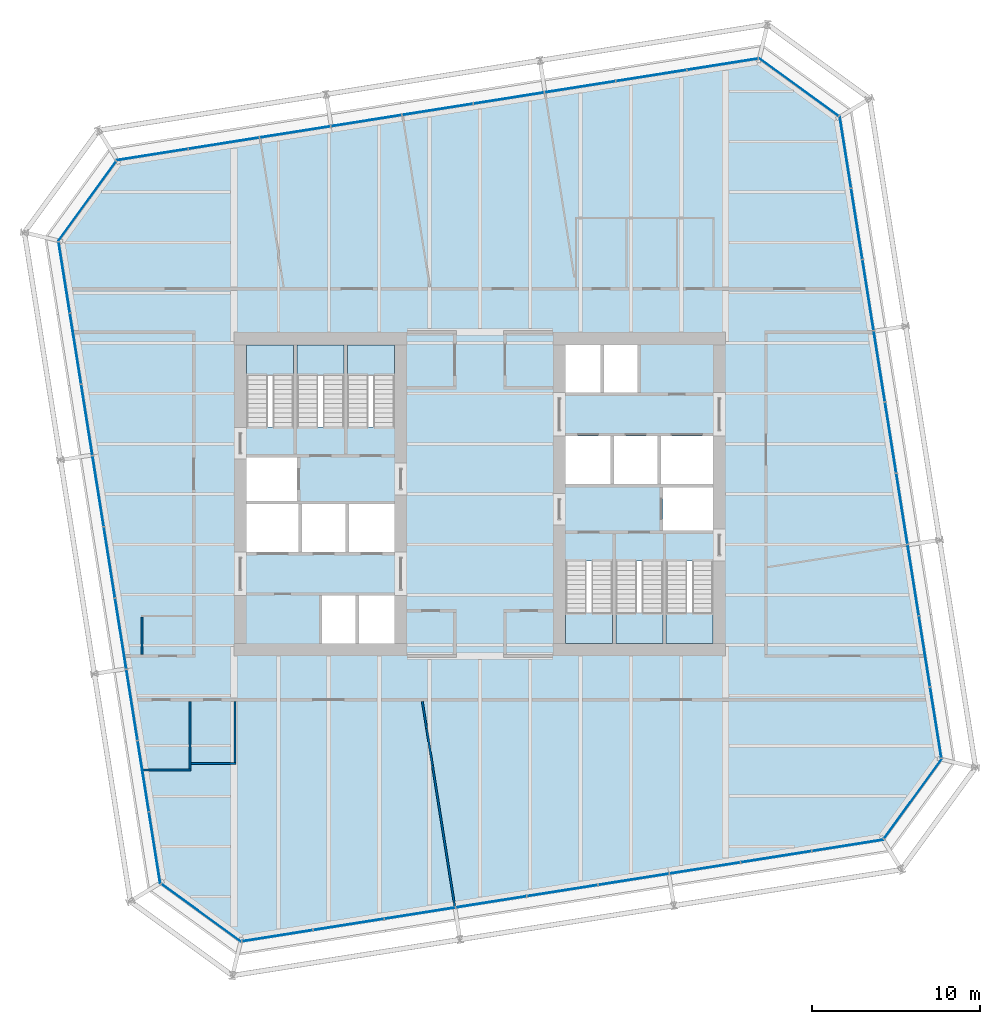
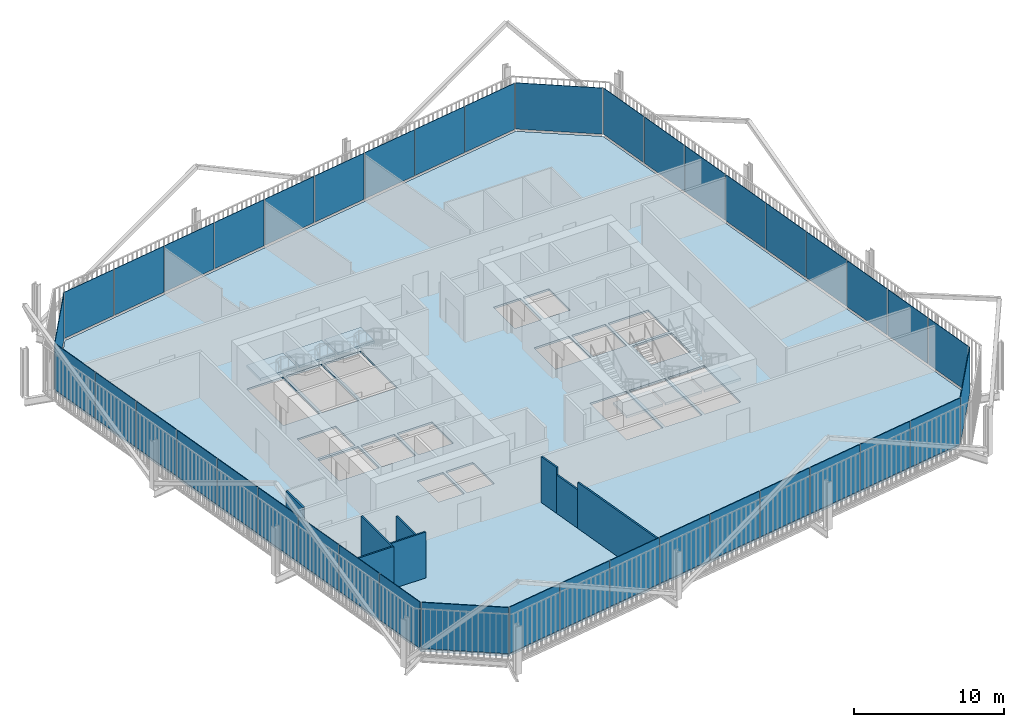
# One storey, part 17 of 22: 40 plates, 8 walls, 7 slabs, 14 elements without a shape of their own.
"""IFC4 building model written with IfcOpenShell, lengths in metres."""

from ifc_helpers import new_model, si_unit, direction, frame, frame_2d, origin, place, context, subcontext, project, spatial, polyline, rectangle, outline, extrude, material, layer, layer_set, type_object, element, aggregate, save


model = new_model("IFC4")

# Units and contexts
model_context = context("Model", 3, precision=1e-05, world=origin(), true_north=direction((0.0, 1.0)))
body_context = subcontext(model_context, "Body", "Model", "MODEL_VIEW")
ifc_project = project(units=[si_unit("LENGTHUNIT", "METRE"), si_unit("AREAUNIT", "SQUARE_METRE"), si_unit("VOLUMEUNIT", "CUBIC_METRE"), si_unit("PLANEANGLEUNIT", "RADIAN"), si_unit("MASSUNIT", "GRAM", prefix="KILO")], contexts=[model_context])

# Site, building, storey
site_placement = place(None, origin())
site = spatial("IfcSite", under=ifc_project, at=site_placement, CompositionType="ELEMENT")
building_placement = place(site_placement, origin())
building = spatial("IfcBuilding", under=site, at=building_placement, Name="Millrace Tower", CompositionType="ELEMENT")
storey_placement = place(building_placement, frame((0.0, 0.0, 160.699951171875)))
storey = spatial("IfcBuildingStorey", under=building, at=storey_placement, Name="L36", CompositionType="ELEMENT", Elevation=160.699951171875)

# Curtain wall, plate
ifc_material_1 = material(Name="Aluminium and glass", Category="aluminium")
ifc_layer_1 = layer(ifc_material_1, 0.14990234375)
ifc_layer_set_1 = layer_set([ifc_layer_1], Name="Aluminium and glass")
curtain_wall_type = type_object("IfcCurtainWallType", Name="CW-1 office vision curtain wall", PredefinedType="NOTDEFINED", material=ifc_layer_set_1)
placement_1 = place(storey_placement, origin())
curtain_wall_1 = element("IfcCurtainWall", 1, at=placement_1, inside=storey, type_object=curtain_wall_type, Name="Curtain wall C-F01 L36", PredefinedType="NOTDEFINED")
ifc_material_2 = material(Name="Glass", Category="glass")
ifc_layer_2 = layer(ifc_material_2, 0.0439453125)
ifc_layer_set_2 = layer_set([ifc_layer_2], Name="Glass")
plate_type = type_object("IfcPlateType", Name="CW-1 office vision curtain wall triple-glazed vision panel", PredefinedType="CURTAIN_PANEL", material=ifc_layer_set_2)
placement_2 = place(storey_placement, frame((0.0, 0.0, 0.14013671875)))
plate_1 = element("IfcPlate", 2, at=placement_2, type_object=plate_type, Name="CW1 panel C-F01.1", PredefinedType="CURTAIN_PANEL", context=body_context, shape_type="SweptSolid", body=[
    extrude(outline(polyline([(-18.988037109375, -23.254638671875), (-14.260009765625, -26.689697265625), (-14.2490234375, -26.6435546875), (-18.962158203125, -23.218994140625), (-18.988037109375, -23.254638671875)])), origin(), (0.0, 0.0, 1.0), 3.760009765625),
])
aggregate(curtain_wall_1, [plate_1])

# Curtain wall, plates
curtain_wall_2 = element("IfcCurtainWall", 3, at=placement_1, inside=storey, type_object=curtain_wall_type, Name="Curtain wall C-F02 L36", PredefinedType="NOTDEFINED")
plate_2 = element("IfcPlate", 4, at=placement_2, type_object=plate_type, Name="CW1 panel C-F02.1", PredefinedType="CURTAIN_PANEL", context=body_context, shape_type="SweptSolid", body=[
    extrude(outline(polyline([(-14.15625, -26.67333984375), (-9.973388671875, -26.0107421875), (-9.980224609375, -25.96728515625), (-14.1630859375, -26.6298828125), (-14.15625, -26.67333984375)])), origin(), (0.0, 0.0, 1.0), 3.760009765625),
])
plate_3 = element("IfcPlate", 5, at=placement_2, type_object=plate_type, Name="CW1 panel C-F02.2", PredefinedType="CURTAIN_PANEL", context=body_context, shape_type="SweptSolid", body=[
    extrude(outline(polyline([(-9.9091796875, -26.000732421875), (-5.726318359375, -25.338134765625), (-5.733154296875, -25.294677734375), (-9.916015625, -25.957275390625), (-9.9091796875, -26.000732421875)])), origin(), (0.0, 0.0, 1.0), 3.760009765625),
])
plate_4 = element("IfcPlate", 6, at=placement_2, type_object=plate_type, Name="CW1 panel C-F02.3", PredefinedType="CURTAIN_PANEL", context=body_context, shape_type="SweptSolid", body=[
    extrude(outline(polyline([(-5.662109375, -25.327880859375), (-1.479248046875, -24.66552734375), (-1.486083984375, -24.6220703125), (-5.6689453125, -25.284423828125), (-5.662109375, -25.327880859375)])), origin(), (0.0, 0.0, 1.0), 3.760009765625),
])
plate_5 = element("IfcPlate", 7, at=placement_2, type_object=plate_type, Name="CW1 panel C-F02.4", PredefinedType="CURTAIN_PANEL", context=body_context, shape_type="SweptSolid", body=[
    extrude(outline(polyline([(-1.4150390625, -24.6552734375), (2.767822265625, -23.992919921875), (2.760986328125, -23.949462890625), (-1.421875, -24.61181640625), (-1.4150390625, -24.6552734375)])), origin(), (0.0, 0.0, 1.0), 3.760009765625),
])
plate_6 = element("IfcPlate", 8, at=placement_2, type_object=plate_type, Name="CW1 panel C-F02.5", PredefinedType="CURTAIN_PANEL", context=body_context, shape_type="SweptSolid", body=[
    extrude(outline(polyline([(2.83203125, -23.982666015625), (7.014892578125, -23.320068359375), (7.008056640625, -23.276611328125), (2.8251953125, -23.939208984375), (2.83203125, -23.982666015625)])), origin(), (0.0, 0.0, 1.0), 3.760009765625),
])
plate_7 = element("IfcPlate", 9, at=placement_2, type_object=plate_type, Name="CW1 panel C-F02.6", PredefinedType="CURTAIN_PANEL", context=body_context, shape_type="SweptSolid", body=[
    extrude(outline(polyline([(7.0791015625, -23.31005859375), (11.261962890625, -22.6474609375), (11.255126953125, -22.60400390625), (7.072265625, -23.2666015625), (7.0791015625, -23.31005859375)])), origin(), (0.0, 0.0, 1.0), 3.760009765625),
])
plate_8 = element("IfcPlate", 10, at=placement_2, type_object=plate_type, Name="CW1 panel C-F02.7", PredefinedType="CURTAIN_PANEL", context=body_context, shape_type="SweptSolid", body=[
    extrude(outline(polyline([(11.326171875, -22.63720703125), (15.509033203125, -21.974853515625), (15.502197265625, -21.931396484375), (11.3193359375, -22.59375), (11.326171875, -22.63720703125)])), origin(), (0.0, 0.0, 1.0), 3.760009765625),
])
plate_9 = element("IfcPlate", 11, at=placement_2, type_object=plate_type, Name="CW1 panel C-F02.8", PredefinedType="CURTAIN_PANEL", context=body_context, shape_type="SweptSolid", body=[
    extrude(outline(polyline([(15.5732421875, -21.964599609375), (19.756103515625, -21.30224609375), (19.749267578125, -21.2587890625), (15.56640625, -21.921142578125), (15.5732421875, -21.964599609375)])), origin(), (0.0, 0.0, 1.0), 3.760009765625),
])
plate_10 = element("IfcPlate", 12, at=placement_2, type_object=plate_type, Name="CW1 panel C-F02.9", PredefinedType="CURTAIN_PANEL", context=body_context, shape_type="SweptSolid", body=[
    extrude(outline(polyline([(19.8203125, -21.2919921875), (24.042724609375, -20.623291015625), (24.01806640625, -20.58251953125), (19.8134765625, -21.24853515625), (19.8203125, -21.2919921875)])), origin(), (0.0, 0.0, 1.0), 3.760009765625),
])
aggregate(curtain_wall_2, [plate_2, plate_3, plate_4, plate_5, plate_6, plate_7, plate_8, plate_9, plate_10])

# Curtain wall, plate
curtain_wall_3 = element("IfcCurtainWall", 13, at=placement_1, inside=storey, type_object=curtain_wall_type, Name="Curtain wall C-F03 L36", PredefinedType="NOTDEFINED")
plate_11 = element("IfcPlate", 14, at=placement_2, type_object=plate_type, Name="CW1 panel C-F03.1", PredefinedType="CURTAIN_PANEL", context=body_context, shape_type="SweptSolid", body=[
    extrude(outline(polyline([(24.104736328125, -20.5380859375), (27.539794921875, -15.81005859375), (27.493408203125, -15.799072265625), (24.069091796875, -20.51220703125), (24.104736328125, -20.5380859375)])), origin(), (0.0, 0.0, 1.0), 3.760009765625),
])
aggregate(curtain_wall_3, [plate_11])

# Curtain wall, plates
curtain_wall_4 = element("IfcCurtainWall", 15, at=placement_1, inside=storey, type_object=curtain_wall_type, Name="Curtain wall C-F04 L36", PredefinedType="NOTDEFINED")
plate_12 = element("IfcPlate", 16, at=placement_2, type_object=plate_type, Name="CW1 panel C-F04.1", PredefinedType="CURTAIN_PANEL", context=body_context, shape_type="SweptSolid", body=[
    extrude(outline(polyline([(27.5234375, -15.706298828125), (26.86083984375, -11.5234375), (26.8173828125, -11.5302734375), (27.47998046875, -15.713134765625), (27.5234375, -15.706298828125)])), origin(), (0.0, 0.0, 1.0), 3.760009765625),
])
plate_13 = element("IfcPlate", 17, at=placement_2, type_object=plate_type, Name="CW1 panel C-F04.2", PredefinedType="CURTAIN_PANEL", context=body_context, shape_type="SweptSolid", body=[
    extrude(outline(polyline([(26.8505859375, -11.459228515625), (26.188232421875, -7.2763671875), (26.144775390625, -7.283203125), (26.80712890625, -11.466064453125), (26.8505859375, -11.459228515625)])), origin(), (0.0, 0.0, 1.0), 3.760009765625),
])
plate_14 = element("IfcPlate", 18, at=placement_2, type_object=plate_type, Name="CW1 panel C-F04.3", PredefinedType="CURTAIN_PANEL", context=body_context, shape_type="SweptSolid", body=[
    extrude(outline(polyline([(26.177978515625, -7.212158203125), (25.515380859375, -3.029296875), (25.471923828125, -3.0361328125), (26.134521484375, -7.218994140625), (26.177978515625, -7.212158203125)])), origin(), (0.0, 0.0, 1.0), 3.760009765625),
])
plate_15 = element("IfcPlate", 19, at=placement_2, type_object=plate_type, Name="CW1 panel C-F04.4", PredefinedType="CURTAIN_PANEL", context=body_context, shape_type="SweptSolid", body=[
    extrude(outline(polyline([(25.50537109375, -2.965087890625), (24.8427734375, 1.2177734375), (24.79931640625, 1.2109375), (25.4619140625, -2.971923828125), (25.50537109375, -2.965087890625)])), origin(), (0.0, 0.0, 1.0), 3.760009765625),
])
plate_16 = element("IfcPlate", 20, at=placement_2, type_object=plate_type, Name="CW1 panel C-F04.5", PredefinedType="CURTAIN_PANEL", context=body_context, shape_type="SweptSolid", body=[
    extrude(outline(polyline([(24.832763671875, 1.281982421875), (24.170166015625, 5.46484375), (24.126708984375, 5.4580078125), (24.789306640625, 1.275146484375), (24.832763671875, 1.281982421875)])), origin(), (0.0, 0.0, 1.0), 3.760009765625),
])
plate_17 = element("IfcPlate", 21, at=placement_2, type_object=plate_type, Name="CW1 panel C-F04.6", PredefinedType="CURTAIN_PANEL", context=body_context, shape_type="SweptSolid", body=[
    extrude(outline(polyline([(24.159912109375, 5.529052734375), (23.49755859375, 9.7119140625), (23.4541015625, 9.705078125), (24.116455078125, 5.522216796875), (24.159912109375, 5.529052734375)])), origin(), (0.0, 0.0, 1.0), 3.760009765625),
])
plate_18 = element("IfcPlate", 22, at=placement_2, type_object=plate_type, Name="CW1 panel C-F04.7", PredefinedType="CURTAIN_PANEL", context=body_context, shape_type="SweptSolid", body=[
    extrude(outline(polyline([(23.4873046875, 9.776123046875), (22.82470703125, 13.958984375), (22.78125, 13.9521484375), (23.44384765625, 9.769287109375), (23.4873046875, 9.776123046875)])), origin(), (0.0, 0.0, 1.0), 3.760009765625),
])
plate_19 = element("IfcPlate", 23, at=placement_2, type_object=plate_type, Name="CW1 panel C-F04.8", PredefinedType="CURTAIN_PANEL", context=body_context, shape_type="SweptSolid", body=[
    extrude(outline(polyline([(22.814697265625, 14.023193359375), (22.152099609375, 18.2060546875), (22.108642578125, 18.19921875), (22.771240234375, 14.016357421875), (22.814697265625, 14.023193359375)])), origin(), (0.0, 0.0, 1.0), 3.760009765625),
])
plate_20 = element("IfcPlate", 24, at=placement_2, type_object=plate_type, Name="CW1 panel C-F04.9", PredefinedType="CURTAIN_PANEL", context=body_context, shape_type="SweptSolid", body=[
    extrude(outline(polyline([(22.14208984375, 18.270263671875), (21.47314453125, 22.492919921875), (21.4326171875, 22.468017578125), (22.0986328125, 18.263427734375), (22.14208984375, 18.270263671875)])), origin(), (0.0, 0.0, 1.0), 3.760009765625),
])
aggregate(curtain_wall_4, [plate_12, plate_13, plate_14, plate_15, plate_16, plate_17, plate_18, plate_19, plate_20])

# Curtain wall, plate
curtain_wall_5 = element("IfcCurtainWall", 25, at=placement_1, inside=storey, type_object=curtain_wall_type, Name="Curtain wall C-F05 L36", PredefinedType="NOTDEFINED")
plate_21 = element("IfcPlate", 26, at=placement_2, type_object=plate_type, Name="CW1 panel C-F05.1", PredefinedType="CURTAIN_PANEL", context=body_context, shape_type="SweptSolid", body=[
    extrude(outline(polyline([(21.38818359375, 22.5546875), (16.66015625, 25.98974609375), (16.64892578125, 25.943359375), (21.3623046875, 22.51904296875), (21.38818359375, 22.5546875)])), origin(), (0.0, 0.0, 1.0), 3.760009765625),
])
aggregate(curtain_wall_5, [plate_21])

# Curtain wall, plates
curtain_wall_6 = element("IfcCurtainWall", 27, at=placement_1, inside=storey, type_object=curtain_wall_type, Name="Curtain wall C-F06 L36", PredefinedType="NOTDEFINED")
plate_22 = element("IfcPlate", 28, at=placement_2, type_object=plate_type, Name="CW1 panel C-F06.1", PredefinedType="CURTAIN_PANEL", context=body_context, shape_type="SweptSolid", body=[
    extrude(outline(polyline([(16.55615234375, 25.973388671875), (12.373291015625, 25.310791015625), (12.380126953125, 25.267333984375), (16.56298828125, 25.929931640625), (16.55615234375, 25.973388671875)])), origin(), (0.0, 0.0, 1.0), 3.760009765625),
])
plate_23 = element("IfcPlate", 29, at=placement_2, type_object=plate_type, Name="CW1 panel C-F06.2", PredefinedType="CURTAIN_PANEL", context=body_context, shape_type="SweptSolid", body=[
    extrude(outline(polyline([(12.30908203125, 25.300537109375), (8.126220703125, 24.63818359375), (8.133056640625, 24.5947265625), (12.31591796875, 25.257080078125), (12.30908203125, 25.300537109375)])), origin(), (0.0, 0.0, 1.0), 3.760009765625),
])
plate_24 = element("IfcPlate", 30, at=placement_2, type_object=plate_type, Name="CW1 panel C-F06.3", PredefinedType="CURTAIN_PANEL", context=body_context, shape_type="SweptSolid", body=[
    extrude(outline(polyline([(8.06201171875, 24.6279296875), (3.879150390625, 23.965576171875), (3.885986328125, 23.922119140625), (8.06884765625, 24.58447265625), (8.06201171875, 24.6279296875)])), origin(), (0.0, 0.0, 1.0), 3.760009765625),
])
plate_25 = element("IfcPlate", 31, at=placement_2, type_object=plate_type, Name="CW1 panel C-F06.4", PredefinedType="CURTAIN_PANEL", context=body_context, shape_type="SweptSolid", body=[
    extrude(outline(polyline([(3.81494140625, 23.955322265625), (-0.367919921875, 23.292724609375), (-0.361083984375, 23.249267578125), (3.82177734375, 23.911865234375), (3.81494140625, 23.955322265625)])), origin(), (0.0, 0.0, 1.0), 3.760009765625),
])
plate_26 = element("IfcPlate", 32, at=placement_2, type_object=plate_type, Name="CW1 panel C-F06.5", PredefinedType="CURTAIN_PANEL", context=body_context, shape_type="SweptSolid", body=[
    extrude(outline(polyline([(-0.43212890625, 23.28271484375), (-4.614990234375, 22.6201171875), (-4.60791015625, 22.57666015625), (-0.42529296875, 23.2392578125), (-0.43212890625, 23.28271484375)])), origin(), (0.0, 0.0, 1.0), 3.760009765625),
])
plate_27 = element("IfcPlate", 33, at=placement_2, type_object=plate_type, Name="CW1 panel C-F06.6", PredefinedType="CURTAIN_PANEL", context=body_context, shape_type="SweptSolid", body=[
    extrude(outline(polyline([(-4.67919921875, 22.60986328125), (-8.862060546875, 21.947509765625), (-8.85498046875, 21.904052734375), (-4.672119140625, 22.56640625), (-4.67919921875, 22.60986328125)])), origin(), (0.0, 0.0, 1.0), 3.760009765625),
])
plate_28 = element("IfcPlate", 34, at=placement_2, type_object=plate_type, Name="CW1 panel C-F06.7", PredefinedType="CURTAIN_PANEL", context=body_context, shape_type="SweptSolid", body=[
    extrude(outline(polyline([(-8.92626953125, 21.937255859375), (-13.109130859375, 21.27490234375), (-13.10205078125, 21.2314453125), (-8.919189453125, 21.893798828125), (-8.92626953125, 21.937255859375)])), origin(), (0.0, 0.0, 1.0), 3.760009765625),
])
plate_29 = element("IfcPlate", 35, at=placement_2, type_object=plate_type, Name="CW1 panel C-F06.8", PredefinedType="CURTAIN_PANEL", context=body_context, shape_type="SweptSolid", body=[
    extrude(outline(polyline([(-13.17333984375, 21.2646484375), (-17.356201171875, 20.60205078125), (-17.34912109375, 20.55859375), (-13.166259765625, 21.22119140625), (-13.17333984375, 21.2646484375)])), origin(), (0.0, 0.0, 1.0), 3.760009765625),
])
plate_30 = element("IfcPlate", 36, at=placement_2, type_object=plate_type, Name="CW1 panel C-F06.9", PredefinedType="CURTAIN_PANEL", context=body_context, shape_type="SweptSolid", body=[
    extrude(outline(polyline([(-17.42041015625, 20.592041015625), (-21.642822265625, 19.923095703125), (-21.617919921875, 19.882568359375), (-17.413330078125, 20.548583984375), (-17.42041015625, 20.592041015625)])), origin(), (0.0, 0.0, 1.0), 3.760009765625),
])
aggregate(curtain_wall_6, [plate_22, plate_23, plate_24, plate_25, plate_26, plate_27, plate_28, plate_29, plate_30])

# Curtain wall, plate
curtain_wall_7 = element("IfcCurtainWall", 37, at=placement_1, inside=storey, type_object=curtain_wall_type, Name="Curtain wall C-F07 L36", PredefinedType="NOTDEFINED")
plate_31 = element("IfcPlate", 38, at=placement_2, type_object=plate_type, Name="CW1 panel C-F07.1", PredefinedType="CURTAIN_PANEL", context=body_context, shape_type="SweptSolid", body=[
    extrude(outline(polyline([(-21.70458984375, 19.838134765625), (-25.139892578125, 15.110107421875), (-25.093505859375, 15.098876953125), (-21.6689453125, 19.812255859375), (-21.70458984375, 19.838134765625)])), origin(), (0.0, 0.0, 1.0), 3.760009765625),
])
aggregate(curtain_wall_7, [plate_31])

# Curtain wall, plates
curtain_wall_8 = element("IfcCurtainWall", 39, at=placement_1, inside=storey, type_object=curtain_wall_type, Name="Curtain wall C-F08 L36", PredefinedType="NOTDEFINED")
plate_32 = element("IfcPlate", 40, at=placement_2, type_object=plate_type, Name="CW1 panel C-F08.1", PredefinedType="CURTAIN_PANEL", context=body_context, shape_type="SweptSolid", body=[
    extrude(outline(polyline([(-25.123291015625, 15.006103515625), (-24.4609375, 10.8232421875), (-24.41748046875, 10.830322265625), (-25.079833984375, 15.01318359375), (-25.123291015625, 15.006103515625)])), origin(), (0.0, 0.0, 1.0), 3.760009765625),
])
plate_33 = element("IfcPlate", 41, at=placement_2, type_object=plate_type, Name="CW1 panel C-F08.2", PredefinedType="CURTAIN_PANEL", context=body_context, shape_type="SweptSolid", body=[
    extrude(outline(polyline([(-24.45068359375, 10.759033203125), (-23.7880859375, 6.576171875), (-23.74462890625, 6.583251953125), (-24.4072265625, 10.76611328125), (-24.45068359375, 10.759033203125)])), origin(), (0.0, 0.0, 1.0), 3.760009765625),
])
plate_34 = element("IfcPlate", 42, at=placement_2, type_object=plate_type, Name="CW1 panel C-F08.3", PredefinedType="CURTAIN_PANEL", context=body_context, shape_type="SweptSolid", body=[
    extrude(outline(polyline([(-23.778076171875, 6.511962890625), (-23.115478515625, 2.3291015625), (-23.072021484375, 2.336181640625), (-23.734619140625, 6.51904296875), (-23.778076171875, 6.511962890625)])), origin(), (0.0, 0.0, 1.0), 3.760009765625),
])
plate_35 = element("IfcPlate", 43, at=placement_2, type_object=plate_type, Name="CW1 panel C-F08.4", PredefinedType="CURTAIN_PANEL", context=body_context, shape_type="SweptSolid", body=[
    extrude(outline(polyline([(-23.105224609375, 2.264892578125), (-22.44287109375, -1.91796875), (-22.3994140625, -1.910888671875), (-23.061767578125, 2.27197265625), (-23.105224609375, 2.264892578125)])), origin(), (0.0, 0.0, 1.0), 3.760009765625),
])
plate_36 = element("IfcPlate", 44, at=placement_2, type_object=plate_type, Name="CW1 panel C-F08.5", PredefinedType="CURTAIN_PANEL", context=body_context, shape_type="SweptSolid", body=[
    extrude(outline(polyline([(-22.4326171875, -1.98193359375), (-21.770263671875, -6.164794921875), (-21.726806640625, -6.157958984375), (-22.38916015625, -1.97509765625), (-22.4326171875, -1.98193359375)])), origin(), (0.0, 0.0, 1.0), 3.760009765625),
])
plate_37 = element("IfcPlate", 45, at=placement_2, type_object=plate_type, Name="CW1 panel C-F08.6", PredefinedType="CURTAIN_PANEL", context=body_context, shape_type="SweptSolid", body=[
    extrude(outline(polyline([(-21.760009765625, -6.22900390625), (-21.097412109375, -10.411865234375), (-21.053955078125, -10.405029296875), (-21.716552734375, -6.22216796875), (-21.760009765625, -6.22900390625)])), origin(), (0.0, 0.0, 1.0), 3.760009765625),
])
plate_38 = element("IfcPlate", 46, at=placement_2, type_object=plate_type, Name="CW1 panel C-F08.7", PredefinedType="CURTAIN_PANEL", context=body_context, shape_type="SweptSolid", body=[
    extrude(outline(polyline([(-21.08740234375, -10.47607421875), (-20.4248046875, -14.658935546875), (-20.38134765625, -14.652099609375), (-21.0439453125, -10.46923828125), (-21.08740234375, -10.47607421875)])), origin(), (0.0, 0.0, 1.0), 3.760009765625),
])
plate_39 = element("IfcPlate", 47, at=placement_2, type_object=plate_type, Name="CW1 panel C-F08.8", PredefinedType="CURTAIN_PANEL", context=body_context, shape_type="SweptSolid", body=[
    extrude(outline(polyline([(-20.41455078125, -14.72314453125), (-19.752197265625, -18.906005859375), (-19.708740234375, -18.899169921875), (-20.37109375, -14.71630859375), (-20.41455078125, -14.72314453125)])), origin(), (0.0, 0.0, 1.0), 3.760009765625),
])
plate_40 = element("IfcPlate", 48, at=placement_2, type_object=plate_type, Name="CW1 panel C-F08.9", PredefinedType="CURTAIN_PANEL", context=body_context, shape_type="SweptSolid", body=[
    extrude(outline(polyline([(-19.741943359375, -18.97021484375), (-19.0732421875, -23.19287109375), (-19.032470703125, -23.16796875), (-19.698486328125, -18.96337890625), (-19.741943359375, -18.97021484375)])), origin(), (0.0, 0.0, 1.0), 3.760009765625),
])
aggregate(curtain_wall_8, [plate_32, plate_33, plate_34, plate_35, plate_36, plate_37, plate_38, plate_39, plate_40])

# Slab
ifc_material_3 = material(Name="Concrete C35 on steel deck", Category="concrete")
ifc_layer_3 = layer(ifc_material_3, 0.159912109375)
ifc_layer_set_3 = layer_set([ifc_layer_3], Name="Concrete C35 on steel deck")
slab_type_1 = type_object("IfcSlabType", Name="Composite floor slab 160 mm", PredefinedType="FLOOR", material=ifc_layer_set_3)
slab_1_placement = place(storey_placement, frame((0.0, 0.0, -0.159912109375)))
element("IfcSlab", 49, at=slab_1_placement, inside=storey, type_object=slab_type_1, Name="SL-C-L36-S1", PredefinedType="FLOOR", context=body_context, shape_type="SweptSolid", body=[
    extrude(outline(polyline([(-18.983642578125, -23.137939453125), (-14.235595703125, -26.587646484375), (23.988037109375, -20.53369140625), (27.437744140625, -15.78564453125), (21.3837890625, 22.43798828125), (16.635498046875, 25.8876953125), (-21.587890625, 19.833740234375), (-25.03759765625, 15.08544921875), (-18.983642578125, -23.137939453125)]), holes=[polyline([(-9.39990234375, -8.89990234375), (-7.39990234375, -8.89990234375), (-7.39990234375, -6.050048828125), (-9.39990234375, -6.050048828125), (-9.39990234375, -8.89990234375)]), polyline([(-7.199951171875, -8.89990234375), (-5.10009765625, -8.89990234375), (-5.10009765625, -6.050048828125), (-7.199951171875, -6.050048828125), (-7.199951171875, -8.89990234375)]), polyline([(-13.89990234375, -3.449951171875), (-10.800048828125, -3.449951171875), (-10.800048828125, -0.60009765625), (-13.89990234375, -0.60009765625), (-13.89990234375, -3.449951171875)]), polyline([(-10.60009765625, -3.449951171875), (-8.0, -3.449951171875), (-8.0, -0.60009765625), (-10.60009765625, -0.60009765625), (-10.60009765625, -3.449951171875)]), polyline([(-7.800048828125, -3.449951171875), (-5.10009765625, -3.449951171875), (-5.10009765625, -0.60009765625), (-7.800048828125, -0.60009765625), (-7.800048828125, -3.449951171875)]), polyline([(-13.89990234375, -0.39990234375), (-10.89990234375, -0.39990234375), (-10.89990234375, 2.179931640625), (-13.89990234375, 2.179931640625), (-13.89990234375, -0.39990234375)]), polyline([(-13.89990234375, 4.0), (-11.10009765625, 4.0), (-11.10009765625, 8.89990234375), (-13.89990234375, 8.89990234375), (-13.89990234375, 4.0)]), polyline([(-10.89990234375, 4.0), (-8.10009765625, 4.0), (-8.10009765625, 8.89990234375), (-10.89990234375, 8.89990234375), (-10.89990234375, 4.0)]), polyline([(-7.89990234375, 4.0), (-5.10009765625, 4.0), (-5.10009765625, 8.89990234375), (-7.89990234375, 8.89990234375), (-7.89990234375, 4.0)]), polyline([(7.39990234375, 6.050048828125), (9.39990234375, 6.050048828125), (9.39990234375, 8.89990234375), (7.39990234375, 8.89990234375), (7.39990234375, 6.050048828125)]), polyline([(5.10009765625, 6.050048828125), (7.199951171875, 6.050048828125), (7.199951171875, 8.89990234375), (5.10009765625, 8.89990234375), (5.10009765625, 6.050048828125)]), polyline([(10.800048828125, 0.60009765625), (13.89990234375, 0.60009765625), (13.89990234375, 3.449951171875), (10.800048828125, 3.449951171875), (10.800048828125, 0.60009765625)]), polyline([(8.0, 0.60009765625), (10.60009765625, 0.60009765625), (10.60009765625, 3.449951171875), (8.0, 3.449951171875), (8.0, 0.60009765625)]), polyline([(5.10009765625, 0.60009765625), (7.800048828125, 0.60009765625), (7.800048828125, 3.449951171875), (5.10009765625, 3.449951171875), (5.10009765625, 0.60009765625)]), polyline([(10.89990234375, -2.179931640625), (13.89990234375, -2.179931640625), (13.89990234375, 0.39990234375), (10.89990234375, 0.39990234375), (10.89990234375, -2.179931640625)]), polyline([(11.10009765625, -8.89990234375), (13.89990234375, -8.89990234375), (13.89990234375, -4.0), (11.10009765625, -4.0), (11.10009765625, -8.89990234375)]), polyline([(8.10009765625, -8.89990234375), (10.89990234375, -8.89990234375), (10.89990234375, -4.0), (8.10009765625, -4.0), (8.10009765625, -8.89990234375)]), polyline([(5.10009765625, -8.89990234375), (7.89990234375, -8.89990234375), (7.89990234375, -4.0), (5.10009765625, -4.0), (5.10009765625, -8.89990234375)])]), origin(), (0.0, 0.0, 1.0), 0.159912109375),
])

# Stair, slab
ifc_material_4 = material(Name="Concrete C35", Category="concrete")
stair_type = type_object("IfcStairType", Name="Exit stair", PredefinedType="HALF_TURN_STAIR", material=ifc_material_4)
stair_1 = element("IfcStair", 50, at=placement_1, inside=storey, type_object=stair_type, Name="Stair 1 W L36", PredefinedType="HALF_TURN_STAIR")
ifc_material_5 = material(Name="Concrete C40", Category="concrete")
ifc_layer_4 = layer(ifc_material_5, 0.199951171875)
ifc_layer_set_4 = layer_set([ifc_layer_4], Name="Concrete C40")
slab_type_2 = type_object("IfcSlabType", Name="Stair landing", PredefinedType="LANDING", material=ifc_layer_set_4)
placement_3 = place(storey_placement, frame((0.0, 0.0, 1.75)))
slab_2 = element("IfcSlab", 51, at=placement_3, type_object=slab_type_2, Name="ST12 landing 1", PredefinedType="LANDING", context=body_context, shape_type="SweptSolid", body=[
    extrude(outline(polyline([(-13.89990234375, 7.080078125), (-11.10009765625, 7.080078125), (-11.10009765625, 8.89990234375), (-13.89990234375, 8.89990234375), (-13.89990234375, 7.080078125)])), origin(), (0.0, 0.0, 1.0), 0.199951171875),
])
aggregate(stair_1, [slab_2])

stair_2 = element("IfcStair", 52, at=placement_1, inside=storey, type_object=stair_type, Name="Stair 2 W L36", PredefinedType="HALF_TURN_STAIR")
slab_3 = element("IfcSlab", 53, at=placement_3, type_object=slab_type_2, Name="ST12 landing 1", PredefinedType="LANDING", context=body_context, shape_type="SweptSolid", body=[
    extrude(outline(polyline([(-10.89990234375, 7.080078125), (-8.10009765625, 7.080078125), (-8.10009765625, 8.89990234375), (-10.89990234375, 8.89990234375), (-10.89990234375, 7.080078125)])), origin(), (0.0, 0.0, 1.0), 0.199951171875),
])
aggregate(stair_2, [slab_3])

stair_3 = element("IfcStair", 54, at=placement_1, inside=storey, type_object=stair_type, Name="Stair 3 W L36", PredefinedType="HALF_TURN_STAIR")
slab_4 = element("IfcSlab", 55, at=placement_3, type_object=slab_type_2, Name="ST12 landing 1", PredefinedType="LANDING", context=body_context, shape_type="SweptSolid", body=[
    extrude(outline(polyline([(-7.89990234375, 7.080078125), (-5.10009765625, 7.080078125), (-5.10009765625, 8.89990234375), (-7.89990234375, 8.89990234375), (-7.89990234375, 7.080078125)])), origin(), (0.0, 0.0, 1.0), 0.199951171875),
])
aggregate(stair_3, [slab_4])

stair_4 = element("IfcStair", 56, at=placement_1, inside=storey, type_object=stair_type, Name="Stair 1 E L36", PredefinedType="HALF_TURN_STAIR")
slab_5 = element("IfcSlab", 57, at=placement_3, type_object=slab_type_2, Name="ST12 landing 1", PredefinedType="LANDING", context=body_context, shape_type="SweptSolid", body=[
    extrude(outline(polyline([(11.10009765625, -8.89990234375), (13.89990234375, -8.89990234375), (13.89990234375, -7.080078125), (11.10009765625, -7.080078125), (11.10009765625, -8.89990234375)])), origin(), (0.0, 0.0, 1.0), 0.199951171875),
])
aggregate(stair_4, [slab_5])

stair_5 = element("IfcStair", 58, at=placement_1, inside=storey, type_object=stair_type, Name="Stair 2 E L36", PredefinedType="HALF_TURN_STAIR")
slab_6 = element("IfcSlab", 59, at=placement_3, type_object=slab_type_2, Name="ST12 landing 1", PredefinedType="LANDING", context=body_context, shape_type="SweptSolid", body=[
    extrude(outline(polyline([(8.10009765625, -8.89990234375), (10.89990234375, -8.89990234375), (10.89990234375, -7.080078125), (8.10009765625, -7.080078125), (8.10009765625, -8.89990234375)])), origin(), (0.0, 0.0, 1.0), 0.199951171875),
])
aggregate(stair_5, [slab_6])

stair_6 = element("IfcStair", 60, at=placement_1, inside=storey, type_object=stair_type, Name="Stair 3 E L36", PredefinedType="HALF_TURN_STAIR")
slab_7 = element("IfcSlab", 61, at=placement_3, type_object=slab_type_2, Name="ST12 landing 1", PredefinedType="LANDING", context=body_context, shape_type="SweptSolid", body=[
    extrude(outline(polyline([(5.10009765625, -8.89990234375), (7.89990234375, -8.89990234375), (7.89990234375, -7.080078125), (5.10009765625, -7.080078125), (5.10009765625, -8.89990234375)])), origin(), (0.0, 0.0, 1.0), 0.199951171875),
])
aggregate(stair_6, [slab_7])

# Walls
ifc_material_6 = material(Name="Gypsum board partition")
ifc_layer_5 = layer(ifc_material_6, 0.1201171875)
ifc_layer_set_5 = layer_set([ifc_layer_5], Name="Gypsum board partition")
wall_type = type_object("IfcWallType", Name="Partition wall 120", PredefinedType="PARTITIONING", material=ifc_layer_set_5)
wall_1_placement = place(storey_placement, frame((-3.430419921875, -12.348876953125, 0.0), z_axis=(0.0, 0.0, 1.0), x_axis=(0.156535074883, -0.987672400309, 0.0)))
element("IfcWall", 62, at=wall_1_placement, inside=storey, type_object=wall_type, Name="Partition wall L36", PredefinedType="PARTITIONING", context=body_context, shape_type="SweptSolid", body=[
    extrude(rectangle(XDim=1.642333984375, YDim=0.1201171875, at=frame_2d((0.8212890625, 0.0))), origin(), (0.0, 0.0, 1.0), 3.739990234375),
])
wall_2_placement = place(storey_placement, frame((-3.17333984375, -13.970947265625, 0.0), z_axis=(0.0, 0.0, 1.0), x_axis=(0.156341363977, -0.987703081857, 0.0)))
element("IfcWall", 63, at=wall_2_placement, inside=storey, type_object=wall_type, Name="Partition wall L36", PredefinedType="PARTITIONING", context=body_context, shape_type="SweptSolid", body=[
    extrude(rectangle(XDim=2.217529296875, YDim=0.1201171875, at=frame_2d((1.10888671875, 0.0))), origin(), (0.0, 0.0, 1.0), 3.133056640625),
])
wall_3_placement = place(storey_placement, frame((-2.82666015625, -16.1611328125, 0.0), z_axis=(0.0, 0.0, 1.0), x_axis=(0.156427735181, -0.987689406477, 0.0)))
element("IfcWall", 64, at=wall_3_placement, inside=storey, type_object=wall_type, Name="Partition wall L36", PredefinedType="PARTITIONING", context=body_context, shape_type="SweptSolid", body=[
    extrude(rectangle(XDim=8.54345703125, YDim=0.1201171875, at=frame_2d((4.271728515625, 0.0))), origin(), (0.0, 0.0, 1.0), 3.739990234375),
])
wall_4_placement = place(storey_placement, frame((-20.0732421875, -16.449951171875, 0.0), z_axis=(0.0, 0.0, 1.0), x_axis=(1.0, 0.0, 0.0)))
element("IfcWall", 65, at=wall_4_placement, inside=storey, type_object=wall_type, Name="Partition wall L36", PredefinedType="PARTITIONING", context=body_context, shape_type="SweptSolid", body=[
    extrude(rectangle(XDim=2.84521484375, YDim=0.1201171875, at=frame_2d((1.422607421875, 0.0))), origin(), (0.0, 0.0, 1.0), 3.739990234375),
])
wall_5_placement = place(storey_placement, frame((-17.22802734375, -16.050048828125, 0.0), z_axis=(0.0, 0.0, 1.0), x_axis=(1.0, 0.0, 0.0)))
element("IfcWall", 66, at=wall_5_placement, inside=storey, type_object=wall_type, Name="Partition wall L36", PredefinedType="PARTITIONING", context=body_context, shape_type="SweptSolid", body=[
    extrude(rectangle(XDim=2.699951171875, YDim=0.1201171875, at=frame_2d((1.35009765625, 0.0))), origin(), (0.0, 0.0, 1.0), 3.739990234375),
])
wall_6_placement = place(storey_placement, frame((-14.587890625, -15.989990234375, 0.0), z_axis=(0.0, 0.0, 1.0), x_axis=(0.0, 1.0, 0.0)))
element("IfcWall", 67, at=wall_6_placement, inside=storey, type_object=wall_type, Name="Partition wall L36", PredefinedType="PARTITIONING", context=body_context, shape_type="SweptSolid", body=[
    extrude(rectangle(XDim=3.639892578125, YDim=0.1201171875, at=frame_2d((1.81982421875, 0.0))), origin(), (0.0, 0.0, 1.0), 2.792724609375),
])
wall_7_placement = place(storey_placement, frame((-17.2880859375, -16.389892578125, 0.0), z_axis=(0.0, 0.0, 1.0), x_axis=(0.0, 1.0, 0.0)))
element("IfcWall", 68, at=wall_7_placement, inside=storey, type_object=wall_type, Name="Partition wall L36", PredefinedType="PARTITIONING", context=body_context, shape_type="SweptSolid", body=[
    extrude(rectangle(XDim=4.039794921875, YDim=0.1201171875, at=frame_2d((2.02001953125, 0.0))), origin(), (0.0, 0.0, 1.0), 3.739990234375),
])
wall_8_placement = place(storey_placement, frame((-20.14990234375, -9.550048828125, 0.0), z_axis=(0.0, 0.0, 1.0), x_axis=(0.0, 1.0, 0.0)))
element("IfcWall", 69, at=wall_8_placement, inside=storey, type_object=wall_type, Name="Partition wall L36", PredefinedType="PARTITIONING", context=body_context, shape_type="SweptSolid", body=[
    extrude(rectangle(XDim=2.239990234375, YDim=0.1201171875, at=frame_2d((1.1201171875, 0.0))), origin(), (0.0, 0.0, 1.0), 3.739990234375),
])

save(model, "model.ifc")
